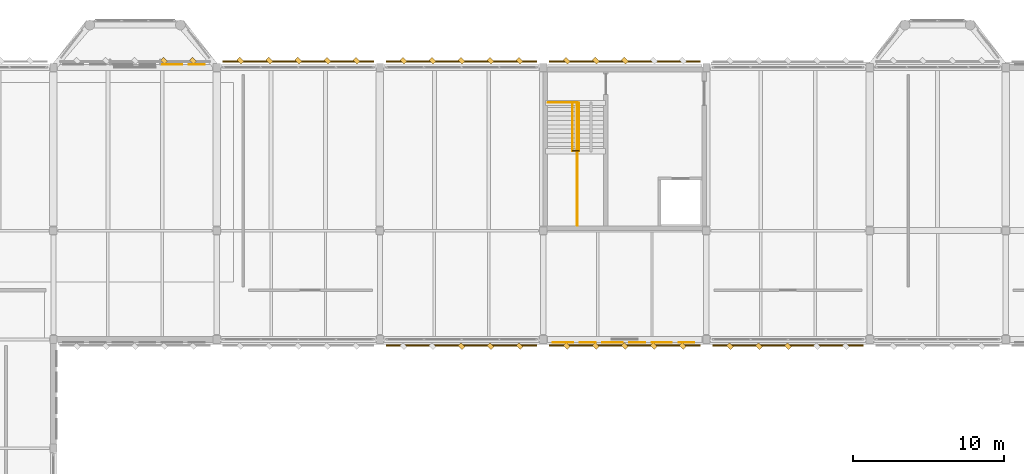
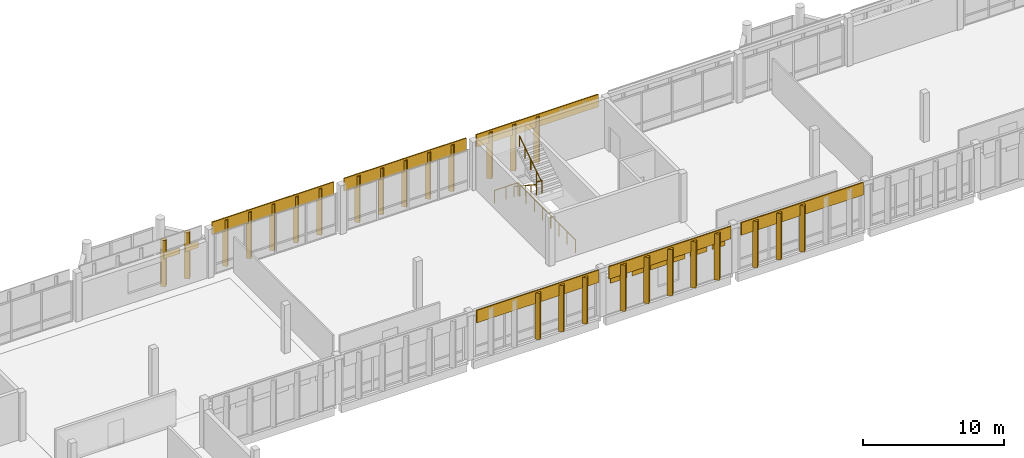
# One storey, part 67 of 72: 40 coverings, 4 railings.
"""IFC4 building model written with IfcOpenShell, lengths in metres."""

import ifcopenshell
import ifcopenshell.guid

model = None  # the IFC model being written
_history = None  # IfcOwnerHistory: only IFC2X3 demands one
_inside = {}  # id of a spatial element -> (the spatial element, [elements in it])
_under = {}  # id of a project, library or spatial element -> (it, [spatial elements below it])
_declared = {}  # id of a project -> (the project, [libraries it declares])
_typed = {}  # id of a type object -> (the type object, [elements of that type])
_made_of = {}  # id of a material, layer set ... -> (it, [elements and type objects made of it])


def new_model(schema):
    """Start an empty IFC model of exactly this schema.

    Asked for "IFC4X3", IfcOpenShell would pick the latest addendum, in which some entities
    have other attributes; the version numbers below select the first issue.
    IFC2X3 requires an IfcOwnerHistory on every rooted entity: one is made here for all.
    """
    global model, _history
    if schema == "IFC4X3":
        model = ifcopenshell.file(schema_version=(4, 3, 0, 0))
    else:
        model = ifcopenshell.file(schema=schema)
    _inside.clear()
    _under.clear()
    _declared.clear()
    _typed.clear()
    _made_of.clear()
    _history = None
    if model.schema == "IFC2X3":
        org = make("IfcOrganization", Name="unknown")
        user = make(
            "IfcPersonAndOrganization",
            ThePerson=make("IfcPerson", FamilyName="unknown"),
            TheOrganization=org,
        )
        app = make(
            "IfcApplication",
            ApplicationDeveloper=org,
            Version="unknown",
            ApplicationFullName="unknown",
            ApplicationIdentifier="unknown",
        )
        _history = make(
            "IfcOwnerHistory",
            OwningUser=user,
            OwningApplication=app,
            ChangeAction="ADDED",
            CreationDate=0,
        )
    return model


def make(cls, **values):
    """One entity of the class cls with the attributes given. An attribute that is None is left unset."""
    return model.create_entity(
        cls, **{name: value for name, value in values.items() if value is not None}
    )


def rooted(cls, **values):
    """An entity with a GlobalId (a new one), such as an element, a storey or a relation."""
    return make(cls, GlobalId=ifcopenshell.guid.new(), OwnerHistory=_history, **values)


def si_unit(unit_type, name, prefix=None):
    """IfcSIUnit, for example si_unit("LENGTHUNIT", "METRE", prefix="MILLI")."""
    return make("IfcSIUnit", UnitType=unit_type, Prefix=prefix, Name=name)


def assignment(units):
    """IfcUnitAssignment: the units of a project."""
    return None if units is None else make("IfcUnitAssignment", Units=units)


def point(xyz):
    """IfcCartesianPoint."""
    return None if xyz is None else make("IfcCartesianPoint", Coordinates=xyz)


def direction(xyz):
    """IfcDirection."""
    return None if xyz is None else make("IfcDirection", DirectionRatios=xyz)


def frame(location, z_axis=None, x_axis=None):
    """IfcAxis2Placement3D, a coordinate frame: its origin and axes. An axis left out is left unset."""
    return make(
        "IfcAxis2Placement3D",
        Location=point(location),
        Axis=direction(z_axis),
        RefDirection=direction(x_axis),
    )


def frame_2d(location, x_axis=None):
    """IfcAxis2Placement2D, a coordinate frame in the plane: its origin and x axis."""
    return make(
        "IfcAxis2Placement2D", Location=point(location), RefDirection=direction(x_axis)
    )


def origin():
    """The frame at (0, 0, 0) with its axes left unset."""
    return frame((0.0, 0.0, 0.0))


def origin_2d():
    """The frame at (0, 0) in the plane with its x axis left unset."""
    return frame_2d((0.0, 0.0))


def place(relative_to, where):
    """IfcLocalPlacement: puts the frame where relative to a parent placement (None: the world)."""
    return make(
        "IfcLocalPlacement", PlacementRelTo=relative_to, RelativePlacement=where
    )


def context(
    kind, dimensions, precision=None, world=None, true_north=None, identifier=None
):
    """IfcGeometricRepresentationContext, for example the 3D "Model" context."""
    return make(
        "IfcGeometricRepresentationContext",
        ContextIdentifier=identifier,
        ContextType=kind,
        CoordinateSpaceDimension=dimensions,
        Precision=precision,
        WorldCoordinateSystem=world,
        TrueNorth=true_north,
    )


def subcontext(parent, identifier, kind, view, scale=None):
    """IfcGeometricRepresentationSubContext, for example "Body" below "Model"."""
    return make(
        "IfcGeometricRepresentationSubContext",
        ContextIdentifier=identifier,
        ContextType=kind,
        ParentContext=parent,
        TargetScale=scale,
        TargetView=view,
    )


def project(units=None, contexts=None):
    """IfcProject with its units and contexts."""
    return rooted(
        "IfcProject",
        Name="project",
        RepresentationContexts=contexts,
        UnitsInContext=assignment(units),
    )


def spatial(cls, under=None, at=None, **own):
    """A site, building, storey or space (cls), placed at a placement, below another one or the project."""
    s = rooted(cls, ObjectPlacement=at, **own)
    if under is not None:
        _under.setdefault(under.id(), (under, []))[1].append(s)
    return s


def profile(cls, at=None, kind="AREA", **sizes):
    """A parametric profile (cls). Its sizes go by their IFC names, for example OverallWidth=200.0."""
    return make(cls, ProfileType=kind, Position=at, **sizes)


def rectangle(**sizes):
    """IfcRectangleProfileDef."""
    return profile("IfcRectangleProfileDef", **sizes)


def circle(**sizes):
    """IfcCircleProfileDef."""
    return profile("IfcCircleProfileDef", **sizes)


def extrude(swept, where, along, depth):
    """IfcExtrudedAreaSolid: the profile swept, set in the frame where, extruded along a direction by depth."""
    return make(
        "IfcExtrudedAreaSolid",
        SweptArea=swept,
        Position=where,
        ExtrudedDirection=direction(along),
        Depth=depth,
    )


def shape(context_of_items, identifier, shape_type, items):
    """IfcShapeRepresentation: the items that make up one representation, for example the "Body"."""
    return make(
        "IfcShapeRepresentation",
        ContextOfItems=context_of_items,
        RepresentationIdentifier=identifier,
        RepresentationType=shape_type,
        Items=items,
    )


def material(Name=None, Category=None):
    """IfcMaterial."""
    return make("IfcMaterial", Name=Name, Category=Category)


def layer(
    of_material, thickness, ventilated=None, Name=None, Category=None, Priority=None
):
    """IfcMaterialLayer: one layer of a wall or slab, of a material (None: an air gap)."""
    return make(
        "IfcMaterialLayer",
        Material=of_material,
        LayerThickness=thickness,
        IsVentilated=ventilated,
        Name=Name,
        Category=Category,
        Priority=Priority,
    )


def layer_set(layers, Name=None):
    """IfcMaterialLayerSet."""
    return make("IfcMaterialLayerSet", MaterialLayers=layers, LayerSetName=Name)


def made_of(thing, what):
    """Note that an element or type object is made of a material, layer set ...; save() writes the relation."""
    if what is not None:
        _made_of.setdefault(what.id(), (what, []))[1].append(thing)
    return thing


def type_object(cls, material=None, **own):
    """A type object (cls), such as IfcWallType, which elements share."""
    return made_of(rooted(cls, **own), material)


def element(
    cls,
    number,
    at=None,
    inside=None,
    cuts=None,
    type_object=None,
    material=None,
    context=None,
    identifier="Body",
    shape_type=None,
    held_by="IfcProductDefinitionShape",
    body=None,
    shapes=None,
    **own,
):
    """One element of the class cls, such as IfcWall. Its Tag is "e" and its number.

    at: its placement. inside: the storey or other place that contains it. cuts: it is an
    opening in that element (IfcRelVoidsElement). A single representation is given by context,
    identifier, shape_type and body (its items); several are given by shapes. held_by: the class
    of the entity that holds the representations. save() writes the other relations.
    """
    e = rooted(cls, Tag="e%d" % number, ObjectPlacement=at, **own)
    if body is not None:
        shapes = [shape(context, identifier, shape_type, body)]
    if shapes is not None:
        e.Representation = make(held_by, Representations=shapes)
    if inside is not None:
        _inside.setdefault(inside.id(), (inside, []))[1].append(e)
    if cuts is not None:
        rooted(
            "IfcRelVoidsElement", RelatingBuildingElement=cuts, RelatedOpeningElement=e
        )
    if type_object is not None:
        _typed.setdefault(type_object.id(), (type_object, []))[1].append(e)
    return made_of(e, material)


def aggregate(whole, parts):
    """IfcRelAggregates: a whole, such as a stair, and the parts it consists of."""
    return rooted("IfcRelAggregates", RelatingObject=whole, RelatedObjects=parts)


def save(model, path):
    """Write the relations noted so far, then the file.

    IfcRelAggregates (storeys below a building ...), IfcRelContainedInSpatialStructure (elements
    in a storey), IfcRelDefinesByType, IfcRelAssociatesMaterial and IfcRelDeclares: one each for
    every whole, place, type object, material and project.
    """
    for whole, parts in _under.values():
        aggregate(whole, parts)
    for where, things in _inside.values():
        rooted(
            "IfcRelContainedInSpatialStructure",
            RelatedElements=things,
            RelatingStructure=where,
        )
    for kind, things in _typed.values():
        rooted("IfcRelDefinesByType", RelatedObjects=things, RelatingType=kind)
    for what, things in _made_of.values():
        rooted("IfcRelAssociatesMaterial", RelatedObjects=things, RelatingMaterial=what)
    for by, libraries in _declared.values():
        rooted("IfcRelDeclares", RelatingContext=by, RelatedDefinitions=libraries)
    model.write(path)


model = new_model("IFC4")

# Units and contexts
model_context = context("Model", 3, precision=1e-05, world=origin(), true_north=direction((0.0, 1.0)))
body_context = subcontext(model_context, "Body", "Model", "MODEL_VIEW")
ifc_project = project(units=[si_unit("LENGTHUNIT", "METRE"), si_unit("AREAUNIT", "SQUARE_METRE"), si_unit("VOLUMEUNIT", "CUBIC_METRE"), si_unit("PLANEANGLEUNIT", "RADIAN"), si_unit("MASSUNIT", "GRAM", prefix="KILO")], contexts=[model_context])

# Site, building, storey
site_placement = place(None, origin())
site = spatial("IfcSite", under=ifc_project, at=site_placement, CompositionType="ELEMENT")
building_placement = place(site_placement, origin())
building = spatial("IfcBuilding", under=site, at=building_placement, Name="Lusvemor Sports Hall", CompositionType="ELEMENT")
storey_placement = place(building_placement, frame((0.0, 0.0, 15.0)))
storey = spatial("IfcBuildingStorey", under=building, at=storey_placement, Name="L03", CompositionType="ELEMENT", Elevation=15.0)

# Coverings
ifc_material_1 = material(Name="Emerald polychrome glazed ceramic cladding on Concrete C40/50 backing", Category="concrete")
ifc_layer_1 = layer(ifc_material_1, 0.0458984375)
ifc_layer_set_1 = layer_set([ifc_layer_1], Name="Emerald polychrome glazed ceramic cladding on Concrete C40/50 backing")
covering_type_1 = type_object("IfcCoveringType", Name="CLAD_WAVE_EMERALD", PredefinedType="CLADDING", material=ifc_layer_set_1)
for number, where, z_axis, x_axis, name in (
    (1, (29.449951171875, 115.39794921875, 2.60498046875), (0.0, 0.0, 1.0), (1.0, 0.0, 0.0), "Art Nouveau Patterned Cladding PS-EW-L03-N-1-2-5"),
    (2, (55.316650390625, 97.001953125, 2.60498046875), (0.0, 0.0, 1.0), (1.0, 0.0, 0.0), "Art Nouveau Patterned Cladding PS-EW-L03-S-3-3-1"),
    (3, (58.583251953125, 97.001953125, 2.60498046875), (0.0, 0.0, 1.0), (1.0, 0.0, 0.0), "Art Nouveau Patterned Cladding PS-EW-L03-S-3-3-3"),
    (4, (61.85009765625, 97.001953125, 2.60498046875), (0.0, 0.0, 1.0), (1.0, 0.0, 0.0), "Art Nouveau Patterned Cladding PS-EW-L03-S-3-3-5"),
):
    element("IfcCovering", number, at=place(storey_placement, frame(where, z_axis=z_axis, x_axis=x_axis)), inside=storey, type_object=covering_type_1, Name=name, PredefinedType="CLADDING", context=body_context, shape_type="SweptSolid", body=[
        extrude(rectangle(XDim=1.33935546875, YDim=0.0458984375, at=origin_2d()), origin(), (0.0, 0.0, 1.0), 0.510009765625),
    ])
for number, where, z_axis, x_axis, name in (
    (5, (28.919921875, 115.639892578125, 0.10009765625), (0.0, 0.0, 1.0), (0.707106781187, 0.707106781187, 0.0), "Patterned Diamond Cladding Rib 578"),
    (6, (35.8798828125, 115.639892578125, 0.10009765625), (0.0, 0.0, 1.0), (0.707106781187, 0.707106781187, 0.0), "Patterned Diamond Cladding Rib 606"),
    (7, (39.719970703125, 115.639892578125, 0.10009765625), (0.0, 0.0, 1.0), (0.707106781187, 0.707106781187, 0.0), "Patterned Diamond Cladding Rib 608"),
    (8, (46.679931640625, 115.639892578125, 0.10009765625), (0.0, 0.0, 1.0), (0.707106781187, 0.707106781187, 0.0), "Patterned Diamond Cladding Rib 636"),
    (9, (50.52001953125, 115.639892578125, 0.10009765625), (0.0, 0.0, 1.0), (0.707106781187, 0.707106781187, 0.0), "Patterned Diamond Cladding Rib 638"),
    (10, (57.47998046875, 115.639892578125, 0.10009765625), (0.0, 0.0, 1.0), (0.707106781187, 0.707106781187, 0.0), "Patterned Diamond Cladding Rib 666"),
    (11, (50.52001953125, 96.760009765625, 0.10009765625), (0.0, 0.0, 1.0), (0.707106781187, 0.707106781187, 0.0), "Patterned Diamond Cladding Rib 1232"),
    (12, (57.47998046875, 96.760009765625, 0.10009765625), (0.0, 0.0, 1.0), (0.707106781187, 0.707106781187, 0.0), "Patterned Diamond Cladding Rib 1254"),
    (13, (61.320068359375, 96.760009765625, 0.10009765625), (0.0, 0.0, 1.0), (0.707106781187, 0.707106781187, 0.0), "Patterned Diamond Cladding Rib 1256"),
    (14, (68.280029296875, 96.760009765625, 0.10009765625), (0.0, 0.0, 1.0), (0.707106781187, 0.707106781187, 0.0), "Patterned Diamond Cladding Rib 1278"),
):
    element("IfcCovering", number, at=place(storey_placement, frame(where, z_axis=z_axis, x_axis=x_axis)), inside=storey, type_object=covering_type_1, Name=name, PredefinedType="CLADDING", context=body_context, shape_type="SweptSolid", body=[
        extrude(rectangle(XDim=0.280029296875, YDim=0.3798828125, at=origin_2d()), origin(), (0.0, 0.0, 1.0), 4.0),
    ])
ifc_material_2 = material(Name="Warm terracotta Art Nouveau ceramic cladding on Concrete C40/50 backing", Category="masonry")
ifc_layer_2 = layer(ifc_material_2, 0.0380859375)
ifc_layer_set_2 = layer_set([ifc_layer_2], Name="Warm terracotta Art Nouveau ceramic cladding on Concrete C40/50 backing")
covering_type_2 = type_object("IfcCoveringType", Name="CLAD_WAVE_OCHRE", PredefinedType="CLADDING", material=ifc_layer_set_2)
for number, where, z_axis, x_axis, name in (
    (15, (31.083251953125, 115.39404296875, 2.60498046875), (0.0, 0.0, 1.0), (1.0, 0.0, 0.0), "Art Nouveau Patterned Cladding PS-EW-L03-N-1-2-6"),
    (16, (56.949951171875, 97.006103515625, 2.60498046875), (0.0, 0.0, 1.0), (1.0, 0.0, 0.0), "Art Nouveau Patterned Cladding PS-EW-L03-S-3-3-2"),
    (17, (60.216796875, 97.006103515625, 2.60498046875), (0.0, 0.0, 1.0), (1.0, 0.0, 0.0), "Art Nouveau Patterned Cladding PS-EW-L03-S-3-3-4"),
    (18, (63.4833984375, 97.006103515625, 2.60498046875), (0.0, 0.0, 1.0), (1.0, 0.0, 0.0), "Art Nouveau Patterned Cladding PS-EW-L03-S-3-3-6"),
):
    element("IfcCovering", number, at=place(storey_placement, frame(where, z_axis=z_axis, x_axis=x_axis)), inside=storey, type_object=covering_type_2, Name=name, PredefinedType="CLADDING", context=body_context, shape_type="SweptSolid", body=[
        extrude(rectangle(XDim=1.04541015625, YDim=0.0380859375, at=origin_2d()), origin(), (0.0, 0.0, 1.0), 0.510009765625),
    ])
for number, where, z_axis, x_axis, name in (
    (19, (37.800048828125, 115.590087890625, 3.179931640625), (0.0, 0.0, 1.0), (1.0, 0.0, 0.0), "Art Nouveau Spandrel Cornice 604"),
    (20, (48.60009765625, 115.590087890625, 3.179931640625), (0.0, 0.0, 1.0), (1.0, 0.0, 0.0), "Art Nouveau Spandrel Cornice 634"),
    (21, (59.39990234375, 115.590087890625, 3.179931640625), (0.0, 0.0, 1.0), (1.0, 0.0, 0.0), "Art Nouveau Spandrel Cornice 664"),
    (22, (48.60009765625, 96.81005859375, 3.179931640625), (0.0, 0.0, 1.0), (1.0, 0.0, 0.0), "Art Nouveau Spandrel Cornice 1228"),
    (23, (59.39990234375, 96.81005859375, 3.179931640625), (0.0, 0.0, 1.0), (1.0, 0.0, 0.0), "Art Nouveau Spandrel Cornice 1252"),
    (24, (70.199951171875, 96.81005859375, 3.179931640625), (0.0, 0.0, 1.0), (1.0, 0.0, 0.0), "Art Nouveau Spandrel Cornice 1276"),
):
    element("IfcCovering", number, at=place(storey_placement, frame(where, z_axis=z_axis, x_axis=x_axis)), inside=storey, type_object=covering_type_2, Name=name, PredefinedType="CLADDING", context=body_context, shape_type="SweptSolid", body=[
        extrude(rectangle(XDim=9.97998046875, YDim=0.090087890625, at=origin_2d()), origin(), (0.0, 0.0, 1.0), 1.080078125),
    ])
ifc_material_3 = material(Name="Warm terracotta Art Nouveau ceramic cladding on Concrete C40/50 backing", Category="masonry")
ifc_layer_3 = layer(ifc_material_3, 0.449951171875)
ifc_layer_set_3 = layer_set([ifc_layer_3], Name="Warm terracotta Art Nouveau ceramic cladding on Concrete C40/50 backing")
covering_type_3 = type_object("IfcCoveringType", Name="FIN_BRISE_CER_450", PredefinedType="MOLDING", material=ifc_layer_set_3)
for number, where, z_axis, x_axis, name in (
    (25, (30.840087890625, 115.639892578125, 0.10009765625), (0.0, 0.0, 1.0), (0.707106781187, 0.707106781187, 0.0), "Patterned Diamond Cladding Rib 579"),
    (26, (33.9599609375, 115.639892578125, 0.10009765625), (0.0, 0.0, 1.0), (0.707106781187, 0.707106781187, 0.0), "Patterned Diamond Cladding Rib 605"),
    (27, (37.800048828125, 115.639892578125, 0.10009765625), (0.0, 0.0, 1.0), (0.707106781187, 0.707106781187, 0.0), "Patterned Diamond Cladding Rib 607"),
    (28, (41.639892578125, 115.639892578125, 0.10009765625), (0.0, 0.0, 1.0), (0.707106781187, 0.707106781187, 0.0), "Patterned Diamond Cladding Rib 609"),
    (29, (44.760009765625, 115.639892578125, 0.10009765625), (0.0, 0.0, 1.0), (0.707106781187, 0.707106781187, 0.0), "Patterned Diamond Cladding Rib 635"),
    (30, (48.60009765625, 115.639892578125, 0.10009765625), (0.0, 0.0, 1.0), (0.707106781187, 0.707106781187, 0.0), "Patterned Diamond Cladding Rib 637"),
    (31, (52.43994140625, 115.639892578125, 0.10009765625), (0.0, 0.0, 1.0), (0.707106781187, 0.707106781187, 0.0), "Patterned Diamond Cladding Rib 639"),
    (32, (55.56005859375, 115.639892578125, 0.10009765625), (0.0, 0.0, 1.0), (0.707106781187, 0.707106781187, 0.0), "Patterned Diamond Cladding Rib 665"),
    (33, (59.39990234375, 115.639892578125, 0.10009765625), (0.0, 0.0, 1.0), (0.707106781187, 0.707106781187, 0.0), "Patterned Diamond Cladding Rib 667"),
    (34, (48.60009765625, 96.760009765625, 0.10009765625), (0.0, 0.0, 1.0), (0.707106781187, 0.707106781187, 0.0), "Patterned Diamond Cladding Rib 1231"),
    (35, (52.43994140625, 96.760009765625, 0.10009765625), (0.0, 0.0, 1.0), (0.707106781187, 0.707106781187, 0.0), "Patterned Diamond Cladding Rib 1233"),
    (36, (55.56005859375, 96.760009765625, 0.10009765625), (0.0, 0.0, 1.0), (0.707106781187, 0.707106781187, 0.0), "Patterned Diamond Cladding Rib 1253"),
    (37, (59.39990234375, 96.760009765625, 0.10009765625), (0.0, 0.0, 1.0), (0.707106781187, 0.707106781187, 0.0), "Patterned Diamond Cladding Rib 1255"),
    (38, (63.239990234375, 96.760009765625, 0.10009765625), (0.0, 0.0, 1.0), (0.707106781187, 0.707106781187, 0.0), "Patterned Diamond Cladding Rib 1257"),
    (39, (66.360107421875, 96.760009765625, 0.10009765625), (0.0, 0.0, 1.0), (0.707106781187, 0.707106781187, 0.0), "Patterned Diamond Cladding Rib 1277"),
    (40, (70.199951171875, 96.760009765625, 0.10009765625), (0.0, 0.0, 1.0), (0.707106781187, 0.707106781187, 0.0), "Patterned Diamond Cladding Rib 1279"),
):
    element("IfcCovering", number, at=place(storey_placement, frame(where, z_axis=z_axis, x_axis=x_axis)), inside=storey, type_object=covering_type_3, Name=name, PredefinedType="MOLDING", context=body_context, shape_type="SweptSolid", body=[
        extrude(rectangle(XDim=0.280029296875, YDim=0.3798828125, at=origin_2d()), origin(), (0.0, 0.0, 1.0), 4.0),
    ])

# Railings
ifc_material_4 = material(Name="Bronze-finished wrought-steel Art Nouveau balustrade", Category="steel")
railing_type_1 = type_object("IfcRailingType", Name="RAIL_HANDRAIL_092", PredefinedType="HANDRAIL", material=ifc_material_4)
railing_1_placement = place(storey_placement, frame((55.93994140625, 112.85009765625, 0.0)))
element("IfcRailing", 41, at=railing_1_placement, inside=storey, type_object=railing_type_1, Name="Stair STR-C2-L03 Handrail F1", PredefinedType="HANDRAIL", context=body_context, shape_type="SweptSolid", body=[
    extrude(circle(Radius=0.02392578125, at=origin_2d()), frame((0.0, 0.0, 0.89599609375), z_axis=(0.0, -0.835261802243, 0.549852454495), x_axis=(1.0, 0.0, 0.0)), (0.0, 0.0, 1.0), 3.8193359375),
    extrude(circle(Radius=0.02099609375, at=origin_2d()), origin(), (0.0, 0.0, 1.0), 0.871826171875),
    extrude(circle(Radius=0.02099609375, at=origin_2d()), frame((0.0, -0.797607421875, 0.52490234375)), (0.0, 0.0, 1.0), 0.871826171875),
    extrude(circle(Radius=0.02099609375, at=origin_2d()), frame((0.0, -1.59521484375, 1.050048828125)), (0.0, 0.0, 1.0), 0.871826171875),
    extrude(circle(Radius=0.02099609375, at=origin_2d()), frame((0.0, -2.392578125, 1.5751953125)), (0.0, 0.0, 1.0), 0.871826171875),
    extrude(circle(Radius=0.02099609375, at=origin_2d()), frame((0.0, -3.190185546875, 2.10009765625)), (0.0, 0.0, 1.0), 0.871826171875),
])
railing_2_placement = place(storey_placement, frame((56.3798828125, 109.659912109375, 2.10009765625)))
element("IfcRailing", 42, at=railing_2_placement, inside=storey, type_object=railing_type_1, Name="Stair STR-C2-L03 Handrail F2", PredefinedType="HANDRAIL", context=body_context, shape_type="SweptSolid", body=[
    extrude(circle(Radius=0.02392578125, at=origin_2d()), frame((0.0, 0.0, 0.89599609375), z_axis=(0.0, 0.835291159344, 0.549807856548), x_axis=(-1.0, 0.0, 0.0)), (0.0, 0.0, 1.0), 3.8193359375),
    extrude(circle(Radius=0.02099609375, at=origin_2d()), origin(), (0.0, 0.0, 1.0), 0.871826171875),
    extrude(circle(Radius=0.02099609375, at=origin_2d()), frame((0.0, 0.797607421875, 0.52490234375)), (0.0, 0.0, 1.0), 0.871826171875),
    extrude(circle(Radius=0.02099609375, at=origin_2d()), frame((0.0, 1.59521484375, 1.0498046875)), (0.0, 0.0, 1.0), 0.871826171875),
    extrude(circle(Radius=0.02099609375, at=origin_2d()), frame((0.0, 2.392578125, 1.574951171875)), (0.0, 0.0, 1.0), 0.871826171875),
    extrude(circle(Radius=0.02099609375, at=origin_2d()), frame((0.0, 3.190185546875, 2.099853515625)), (0.0, 0.0, 1.0), 0.871826171875),
])
ifc_material_5 = material(Name="Bronze-finished wrought-steel Art Nouveau balustrade", Category="steel")
railing_type_2 = type_object("IfcRailingType", Name="RAIL_STAIR_GUARD_112", PredefinedType="GUARDRAIL", material=ifc_material_5)
railing_3_placement = place(storey_placement, frame((54.340087890625, 112.8701171875, 0.0)))
element("IfcRailing", 43, at=railing_3_placement, inside=storey, type_object=railing_type_2, Name="Stairwell C2 Top Guard (L03)", PredefinedType="GUARDRAIL", context=body_context, shape_type="SweptSolid", body=[
    extrude(circle(Radius=0.02392578125, at=origin_2d()), frame((0.0, 0.0, 1.09619140625), z_axis=(1.0, 0.0, 0.0), x_axis=(0.0, 1.0, 0.0)), (0.0, 0.0, 1.0), 1.919921875),
    extrude(circle(Radius=0.02392578125, at=origin_2d()), frame((1.919921875, 0.0, 1.09619140625), z_axis=(0.0, -1.0, 0.0), x_axis=(1.0, 0.0, 0.0)), (0.0, 0.0, 1.0), 8.130126953125),
    extrude(circle(Radius=0.02099609375, at=origin_2d()), origin(), (0.0, 0.0, 1.0), 1.072021484375),
    extrude(circle(Radius=0.02099609375, at=origin_2d()), frame((0.9599609375, 0.0, 0.0)), (0.0, 0.0, 1.0), 1.072021484375),
    extrude(circle(Radius=0.02099609375, at=origin_2d()), frame((1.919921875, 0.0, 0.0)), (0.0, 0.0, 1.0), 1.072021484375),
    extrude(circle(Radius=0.02099609375, at=origin_2d()), frame((1.919921875, -1.161376953125, 0.0)), (0.0, 0.0, 1.0), 1.072021484375),
    extrude(circle(Radius=0.02099609375, at=origin_2d()), frame((1.919921875, -2.322998046875, 0.0)), (0.0, 0.0, 1.0), 1.072021484375),
    extrude(circle(Radius=0.02099609375, at=origin_2d()), frame((1.919921875, -3.484375, 0.0)), (0.0, 0.0, 1.0), 1.072021484375),
    extrude(circle(Radius=0.02099609375, at=origin_2d()), frame((1.919921875, -4.645751953125, 0.0)), (0.0, 0.0, 1.0), 1.072021484375),
    extrude(circle(Radius=0.02099609375, at=origin_2d()), frame((1.919921875, -5.80712890625, 0.0)), (0.0, 0.0, 1.0), 1.072021484375),
    extrude(circle(Radius=0.02099609375, at=origin_2d()), frame((1.919921875, -6.96875, 0.0)), (0.0, 0.0, 1.0), 1.072021484375),
    extrude(circle(Radius=0.02099609375, at=origin_2d()), frame((1.919921875, -8.130126953125, 0.0)), (0.0, 0.0, 1.0), 1.072021484375),
])
railing_4_placement = place(storey_placement, frame((55.93994140625, 109.679931640625, 2.10009765625)))
element("IfcRailing", 44, at=railing_4_placement, inside=storey, type_object=railing_type_2, Name="Stair STR-C2-L03 Mid Well Guard", PredefinedType="GUARDRAIL", context=body_context, shape_type="SweptSolid", body=[
    extrude(circle(Radius=0.02392578125, at=origin_2d()), frame((0.0, 0.0, 1.09619140625), z_axis=(1.0, 0.0, 0.0), x_axis=(0.0, 1.0, 0.0)), (0.0, 0.0, 1.0), 0.43994140625),
    extrude(circle(Radius=0.02099609375, at=origin_2d()), origin(), (0.0, 0.0, 1.0), 1.072021484375),
    extrude(circle(Radius=0.02099609375, at=origin_2d()), frame((0.43994140625, 0.0, 0.0)), (0.0, 0.0, 1.0), 1.072021484375),
])

save(model, "model.ifc")
